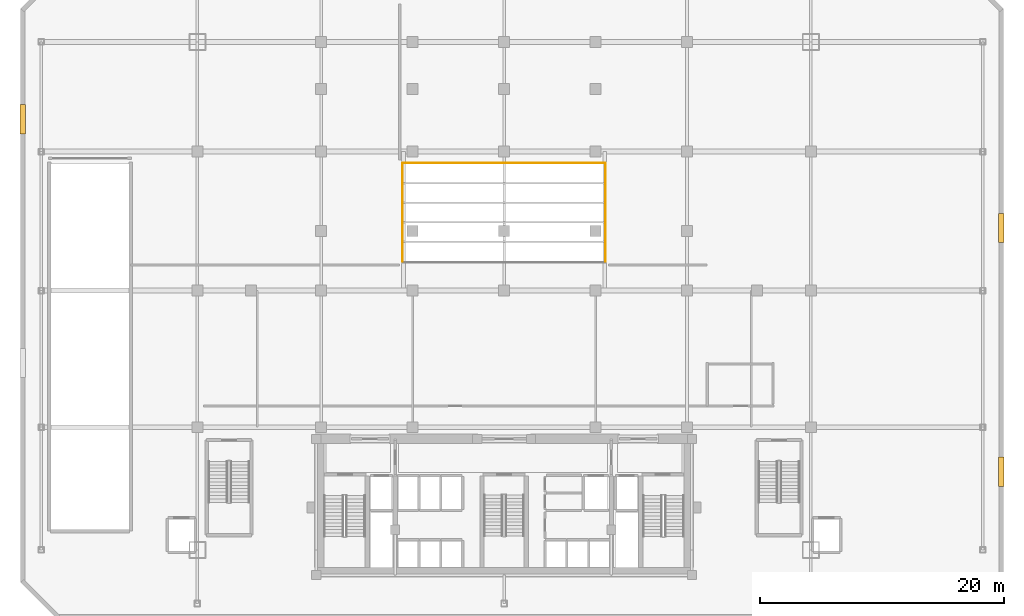
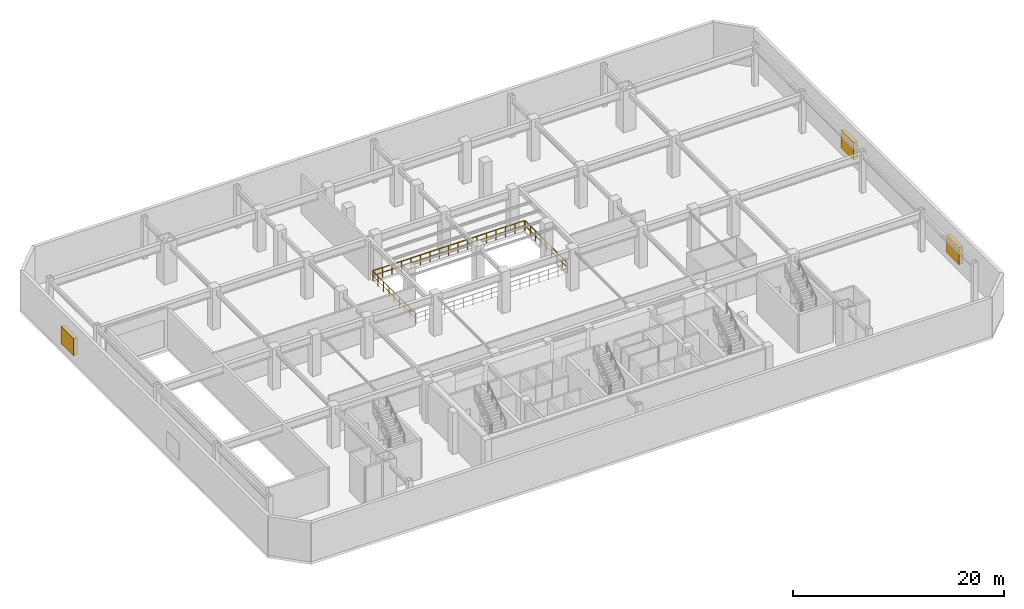
# One storey, part 10 of 10: 3 railings, 3 shading devices.
"""IFC4 building model written with IfcOpenShell, lengths in metres."""

from ifc_helpers import new_model, si_unit, direction, frame, origin, origin_2d, place, context, subcontext, project, spatial, rectangle, circle, extrude, material, type_object, element, save


model = new_model("IFC4")

# Units and contexts
model_context = context("Model", 3, precision=1e-05, world=origin(), true_north=direction((0.0, 1.0)))
body_context = subcontext(model_context, "Body", "Model", "MODEL_VIEW")
ifc_project = project(units=[si_unit("LENGTHUNIT", "METRE"), si_unit("AREAUNIT", "SQUARE_METRE"), si_unit("VOLUMEUNIT", "CUBIC_METRE"), si_unit("PLANEANGLEUNIT", "RADIAN"), si_unit("MASSUNIT", "GRAM", prefix="KILO")], contexts=[model_context])

# Site, building, storey
site_placement = place(None, origin())
site = spatial("IfcSite", under=ifc_project, at=site_placement, CompositionType="ELEMENT")
building_placement = place(site_placement, origin())
building = spatial("IfcBuilding", under=site, at=building_placement, Name="Ventersveld Concourse Tower", CompositionType="ELEMENT")
storey_placement = place(building_placement, frame((0.0, 0.0, 15.0)))
storey = spatial("IfcBuildingStorey", under=building, at=storey_placement, Name="L03", CompositionType="ELEMENT", Elevation=15.0)

# Railings
ifc_material_1 = material(Name="Brushed stainless steel 316", Category="steel")
railing_type = type_object("IfcRailingType", Name="GD-BAL-115", PredefinedType="GUARDRAIL", material=ifc_material_1)
railing_placement = place(storey_placement, frame((20.469970703125, 34.080078125, 0.0)))
element("IfcRailing", 1, at=railing_placement, inside=storey, type_object=railing_type, Name="L03 Podium Concourse Atrium Guardrail N", PredefinedType="GUARDRAIL", context=body_context, shape_type="SweptSolid", body=[
    extrude(circle(Radius=0.02392578125, at=origin_2d()), frame((0.0, 0.0, 1.1259765625), z_axis=(1.0, 0.0, 0.0), x_axis=(0.0, 1.0, 0.0)), (0.0, 0.0, 1.0), 16.56005859375),
    extrude(circle(Radius=0.01611328125, at=origin_2d()), frame((0.0, 0.0, 0.574951171875), z_axis=(1.0, 0.0, 0.0), x_axis=(0.0, 1.0, 0.0)), (0.0, 0.0, 1.0), 16.56005859375),
    extrude(circle(Radius=0.02099609375, at=origin_2d()), origin(), (0.0, 0.0, 1.0), 1.101806640625),
    extrude(circle(Radius=0.02099609375, at=origin_2d()), frame((1.034912109375, 0.0, 0.0)), (0.0, 0.0, 1.0), 1.101806640625),
    extrude(circle(Radius=0.02099609375, at=origin_2d()), frame((2.070068359375, 0.0, 0.0)), (0.0, 0.0, 1.0), 1.101806640625),
    extrude(circle(Radius=0.02099609375, at=origin_2d()), frame((3.10498046875, 0.0, 0.0)), (0.0, 0.0, 1.0), 1.101806640625),
    extrude(circle(Radius=0.02099609375, at=origin_2d()), frame((4.14013671875, 0.0, 0.0)), (0.0, 0.0, 1.0), 1.101806640625),
    extrude(circle(Radius=0.02099609375, at=origin_2d()), frame((5.175048828125, 0.0, 0.0)), (0.0, 0.0, 1.0), 1.101806640625),
    extrude(circle(Radius=0.02099609375, at=origin_2d()), frame((6.2099609375, 0.0, 0.0)), (0.0, 0.0, 1.0), 1.101806640625),
    extrude(circle(Radius=0.02099609375, at=origin_2d()), frame((7.2451171875, 0.0, 0.0)), (0.0, 0.0, 1.0), 1.101806640625),
    extrude(circle(Radius=0.02099609375, at=origin_2d()), frame((8.280029296875, 0.0, 0.0)), (0.0, 0.0, 1.0), 1.101806640625),
    extrude(circle(Radius=0.02099609375, at=origin_2d()), frame((9.31494140625, 0.0, 0.0)), (0.0, 0.0, 1.0), 1.101806640625),
    extrude(circle(Radius=0.02099609375, at=origin_2d()), frame((10.35009765625, 0.0, 0.0)), (0.0, 0.0, 1.0), 1.101806640625),
    extrude(circle(Radius=0.02099609375, at=origin_2d()), frame((11.385009765625, 0.0, 0.0)), (0.0, 0.0, 1.0), 1.101806640625),
    extrude(circle(Radius=0.02099609375, at=origin_2d()), frame((12.419921875, 0.0, 0.0)), (0.0, 0.0, 1.0), 1.101806640625),
    extrude(circle(Radius=0.02099609375, at=origin_2d()), frame((13.455078125, 0.0, 0.0)), (0.0, 0.0, 1.0), 1.101806640625),
    extrude(circle(Radius=0.02099609375, at=origin_2d()), frame((14.489990234375, 0.0, 0.0)), (0.0, 0.0, 1.0), 1.101806640625),
    extrude(circle(Radius=0.02099609375, at=origin_2d()), frame((15.525146484375, 0.0, 0.0)), (0.0, 0.0, 1.0), 1.101806640625),
    extrude(circle(Radius=0.02099609375, at=origin_2d()), frame((16.56005859375, 0.0, 0.0)), (0.0, 0.0, 1.0), 1.101806640625),
])
for number, where, name in (
    (2, (20.419921875, 25.969970703125, 0.0), "L03 Podium Concourse Atrium Guardrail W"),
    (3, (37.080078125, 25.969970703125, 0.0), "L03 Podium Concourse Atrium Guardrail E"),
):
    element("IfcRailing", number, at=place(storey_placement, frame(where)), inside=storey, type_object=railing_type, Name=name, PredefinedType="GUARDRAIL", context=body_context, shape_type="SweptSolid", body=[
        extrude(circle(Radius=0.02392578125, at=origin_2d()), frame((0.0, 0.0, 1.1259765625), z_axis=(0.0, 1.0, 0.0), x_axis=(-1.0, 0.0, 0.0)), (0.0, 0.0, 1.0), 8.06005859375),
        extrude(circle(Radius=0.01611328125, at=origin_2d()), frame((0.0, 0.0, 0.574951171875), z_axis=(0.0, 1.0, 0.0), x_axis=(-1.0, 0.0, 0.0)), (0.0, 0.0, 1.0), 8.06005859375),
        extrude(circle(Radius=0.02099609375, at=origin_2d()), origin(), (0.0, 0.0, 1.0), 1.101806640625),
        extrude(circle(Radius=0.02099609375, at=origin_2d()), frame((0.0, 1.007568359375, 0.0)), (0.0, 0.0, 1.0), 1.101806640625),
        extrude(circle(Radius=0.02099609375, at=origin_2d()), frame((0.0, 2.01513671875, 0.0)), (0.0, 0.0, 1.0), 1.101806640625),
        extrude(circle(Radius=0.02099609375, at=origin_2d()), frame((0.0, 3.0224609375, 0.0)), (0.0, 0.0, 1.0), 1.101806640625),
        extrude(circle(Radius=0.02099609375, at=origin_2d()), frame((0.0, 4.030029296875, 0.0)), (0.0, 0.0, 1.0), 1.101806640625),
        extrude(circle(Radius=0.02099609375, at=origin_2d()), frame((0.0, 5.03759765625, 0.0)), (0.0, 0.0, 1.0), 1.101806640625),
        extrude(circle(Radius=0.02099609375, at=origin_2d()), frame((0.0, 6.044921875, 0.0)), (0.0, 0.0, 1.0), 1.101806640625),
        extrude(circle(Radius=0.02099609375, at=origin_2d()), frame((0.0, 7.052490234375, 0.0)), (0.0, 0.0, 1.0), 1.101806640625),
        extrude(circle(Radius=0.02099609375, at=origin_2d()), frame((0.0, 8.06005859375, 0.0)), (0.0, 0.0, 1.0), 1.101806640625),
    ])

# Shading devices
ifc_material_2 = material(Name="Anodised aluminium EN AW-6063-T6", Category="aluminium")
shading_device_type = type_object("IfcShadingDeviceType", Name="SHD-LOUVRE-300", PredefinedType="JALOUSIE", material=ifc_material_2)
for number, where, z_axis, x_axis, name in (
    (4, (69.52001953125, 8.739990234375, 0.800048828125), (0.0, 0.0, 1.0), (0.0, 1.0, 0.0), "L03 Acoustic Intake Louvre E1"),
    (5, (69.52001953125, 28.739990234375, 0.800048828125), (0.0, 0.0, 1.0), (0.0, 1.0, 0.0), "L03 Acoustic Intake Louvre E2"),
    (6, (-10.719970703125, 37.659912109375, 0.800048828125), (0.0, 0.0, 1.0), (0.0, 1.0, 0.0), "L03 Acoustic Intake Louvre W1"),
):
    element("IfcShadingDevice", number, at=place(storey_placement, frame(where, z_axis=z_axis, x_axis=x_axis)), inside=storey, type_object=shading_device_type, Name=name, PredefinedType="JALOUSIE", context=body_context, shape_type="SweptSolid", body=[
        extrude(rectangle(XDim=2.39990234375, YDim=0.43994140625, at=origin_2d()), origin(), (0.0, 0.0, 1.0), 2.0),
    ])

save(model, "model.ifc")
